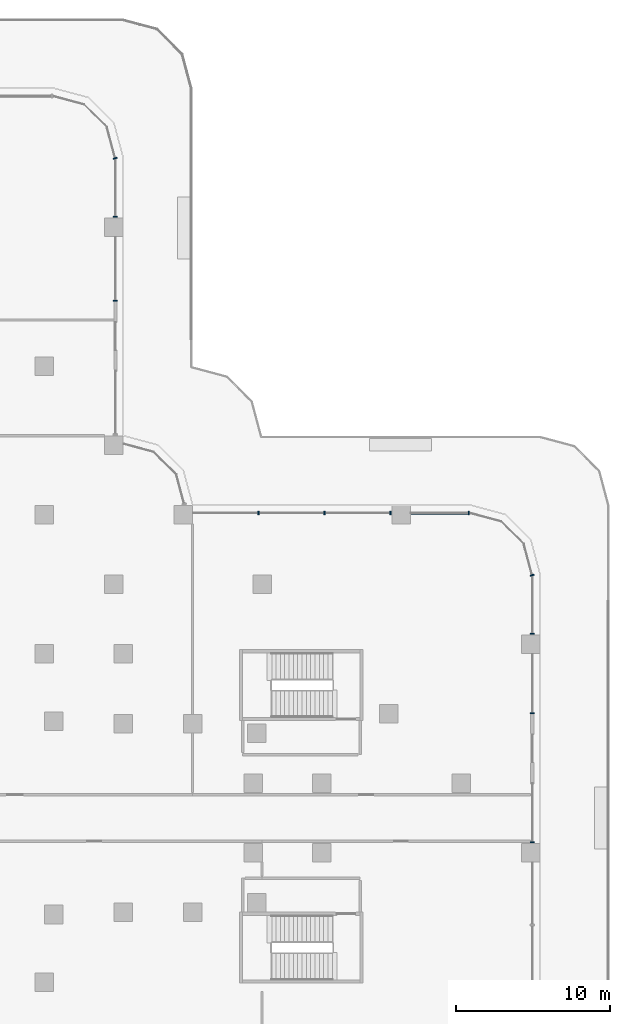
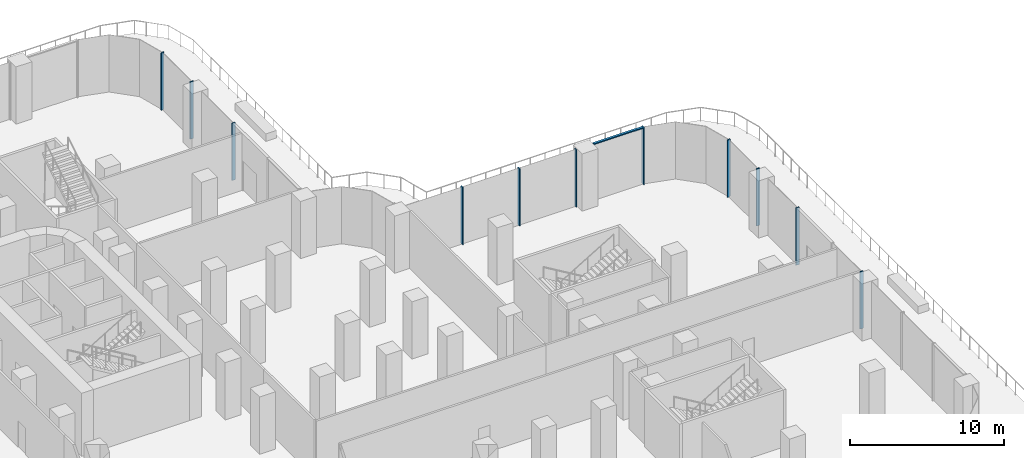
# One storey, part 8 of 29: 12 members, 5 elements without a shape of their own.
"""IFC4 building model written with IfcOpenShell, lengths in metres."""

from ifc_helpers import new_model, si_unit, direction, frame, origin, place, context, subcontext, project, spatial, polyline, outline, extrude, source, transform, mapped, material, type_object, element, aggregate, save


model = new_model("IFC4")

# Units and contexts
model_context = context("Model", 3, precision=1e-05, world=origin(), true_north=direction((0.0, 1.0)))
body_context = subcontext(model_context, "Body", "Model", "MODEL_VIEW")
ifc_project = project(units=[si_unit("LENGTHUNIT", "METRE"), si_unit("AREAUNIT", "SQUARE_METRE"), si_unit("VOLUMEUNIT", "CUBIC_METRE"), si_unit("PLANEANGLEUNIT", "RADIAN"), si_unit("MASSUNIT", "GRAM", prefix="KILO")], contexts=[model_context])

# Site, building, storey
site_placement = place(None, origin())
site = spatial("IfcSite", under=ifc_project, at=site_placement, CompositionType="ELEMENT")
building_placement = place(site_placement, origin())
building = spatial("IfcBuilding", under=site, at=building_placement, Name="Zarbagh Exchange Tower", CompositionType="ELEMENT")
storey_placement = place(building_placement, frame((0.0, 0.0, 12.0)))
storey = spatial("IfcBuildingStorey", under=building, at=storey_placement, Name="L02", CompositionType="ELEMENT", Elevation=12.0)

# Curtain wall, member
ifc_material_1 = material(Name="Anodised aluminium frame and glazing", Category="aluminium")
curtain_wall_type = type_object("IfcCurtainWallType", Name="CWC Podium garden-wall glazing", PredefinedType="NOTDEFINED", material=ifc_material_1)
curtain_wall_1_placement = place(storey_placement, origin())
curtain_wall_1 = element("IfcCurtainWall", 1, at=curtain_wall_1_placement, inside=storey, type_object=curtain_wall_type, Name="CWC114 curtain wall", PredefinedType="NOTDEFINED")
ifc_material_2 = material(Name="Anodised aluminium frame", Category="aluminium")
member_type_1 = type_object("IfcMemberType", Name="TRC Transom, anodised aluminium frame", PredefinedType="USERDEFINED", material=ifc_material_2)
shared_shape_1 = source(origin(), body_context, "Body", "SweptSolid", [
    extrude(outline(polyline([(-0.080078125, -0.090087890625), (0.0, -0.090087890625), (0.0, 0.090087890625), (-0.080078125, 0.090087890625), (-0.080078125, -0.090087890625)])), origin(), (0.0, 0.0, 1.0), 3.714111328125),
])
placement = place(storey_placement, origin())
member_1 = element("IfcMember", 2, at=placement, type_object=member_type_1, Name="CWC114 transom 1.1", ObjectType="TRANSOM", PredefinedType="USERDEFINED", context=body_context, shape_type="MappedRepresentation", body=[
    mapped(shared_shape_1, transform((42.604248046875, 19.75, 4.550048828125), x_axis=(0.0, 0.0, 1.0), y_axis=(0.0, 1.0, 0.0), z_axis=(-1.0, 0.0, 0.0))),
])

# Curtain wall, members
curtain_wall_2_placement = place(storey_placement, origin())
curtain_wall_2 = element("IfcCurtainWall", 3, at=curtain_wall_2_placement, inside=storey, type_object=curtain_wall_type, Name="CWC110 curtain wall", PredefinedType="NOTDEFINED")
member_type_2 = type_object("IfcMemberType", Name="MUC Mullion, anodised aluminium frame", PredefinedType="MULLION", material=ifc_material_2)
shared_shape_2 = source(origin(), body_context, "Body", "SweptSolid", [
    extrude(outline(polyline([(0.0, -0.125), (0.080078125, -0.125), (0.080078125, 0.125), (0.0, 0.125), (0.0, -0.125)])), origin(), (0.0, 0.0, 1.0), 4.550048828125),
])
member_2 = element("IfcMember", 4, at=placement, type_object=member_type_2, Name="CWC110 mullion 2.1", PredefinedType="MULLION", context=body_context, shape_type="MappedRepresentation", body=[
    mapped(shared_shape_2, transform((46.75, -1.60986328125, 0.0), x_axis=(0.0, 1.0, 0.0), y_axis=(-1.0, 0.0, 0.0), z_axis=(0.0, 0.0, 1.0))),
])
member_3 = element("IfcMember", 5, at=placement, type_object=member_type_2, Name="CWC110 mullion 3.1", PredefinedType="MULLION", context=body_context, shape_type="MappedRepresentation", body=[
    mapped(shared_shape_2, transform((46.75, 6.75, 0.0), x_axis=(0.0, 1.0, 0.0), y_axis=(-1.0, 0.0, 0.0), z_axis=(0.0, 0.0, 1.0))),
])
member_4 = element("IfcMember", 6, at=placement, type_object=member_type_2, Name="CWC110 mullion 4.1", PredefinedType="MULLION", context=body_context, shape_type="MappedRepresentation", body=[
    mapped(shared_shape_2, transform((46.75, 11.89013671875, 0.0), x_axis=(0.0, 1.0, 0.0), y_axis=(-1.0, 0.0, 0.0), z_axis=(0.0, 0.0, 1.0))),
])
aggregate(curtain_wall_2, [member_2, member_3, member_4])

# Curtain wall, member
curtain_wall_3_placement = place(storey_placement, origin())
curtain_wall_3 = element("IfcCurtainWall", 7, at=curtain_wall_3_placement, inside=storey, type_object=curtain_wall_type, Name="CWC111 curtain wall", PredefinedType="NOTDEFINED")
member_5 = element("IfcMember", 8, at=placement, type_object=member_type_2, Name="CWC111 mullion 1.1", PredefinedType="MULLION", context=body_context, shape_type="MappedRepresentation", body=[
    mapped(shared_shape_2, transform((46.75, 15.68408203125, 0.0), x_axis=(-0.258824779902, 0.965924289636, 0.0), y_axis=(-0.965924289636, -0.258824779902, 0.0), z_axis=(0.0, 0.0, 1.0))),
])
aggregate(curtain_wall_3, [member_5])

# Member
member_6 = element("IfcMember", 9, at=placement, type_object=member_type_2, Name="CWC114 mullion 1.1", PredefinedType="MULLION", context=body_context, shape_type="MappedRepresentation", body=[
    mapped(shared_shape_2, transform((42.68408203125, 19.75, 0.0), x_axis=(-1.0, 0.0, 0.0), y_axis=(0.0, -1.0, 0.0), z_axis=(0.0, 0.0, 1.0))),
])

member_7 = element("IfcMember", 10, at=placement, type_object=member_type_2, Name="CWC114 mullion 2.1", PredefinedType="MULLION", context=body_context, shape_type="MappedRepresentation", body=[
    mapped(shared_shape_2, transform((37.60986328125, 19.75, 0.0), x_axis=(-1.0, 0.0, 0.0), y_axis=(0.0, -1.0, 0.0), z_axis=(0.0, 0.0, 1.0))),
])

member_8 = element("IfcMember", 11, at=placement, type_object=member_type_2, Name="CWC114 mullion 2.2", PredefinedType="MULLION", context=body_context, shape_type="MappedRepresentation", body=[
    mapped(shared_shape_2, transform((33.336669921875, 19.75, 0.0), x_axis=(-1.0, 0.0, 0.0), y_axis=(0.0, -1.0, 0.0), z_axis=(0.0, 0.0, 1.0))),
])

member_9 = element("IfcMember", 12, at=placement, type_object=member_type_2, Name="CWC114 mullion 2.3", PredefinedType="MULLION", context=body_context, shape_type="MappedRepresentation", body=[
    mapped(shared_shape_2, transform((29.063232421875, 19.75, 0.0), x_axis=(-1.0, 0.0, 0.0), y_axis=(0.0, -1.0, 0.0), z_axis=(0.0, 0.0, 1.0))),
])

aggregate(curtain_wall_1, [member_6, member_1, member_7, member_8, member_9])

# Curtain wall, members
curtain_wall_4_placement = place(storey_placement, origin())
curtain_wall_4 = element("IfcCurtainWall", 13, at=curtain_wall_4_placement, inside=storey, type_object=curtain_wall_type, Name="CWC118 curtain wall", PredefinedType="NOTDEFINED")
member_10 = element("IfcMember", 14, at=placement, type_object=member_type_2, Name="CWC118 mullion 2.1", PredefinedType="MULLION", context=body_context, shape_type="MappedRepresentation", body=[
    mapped(shared_shape_2, transform((19.75, 33.449951171875, 0.0), x_axis=(0.0, 1.0, 0.0), y_axis=(-1.0, 0.0, 0.0), z_axis=(0.0, 0.0, 1.0))),
])
member_11 = element("IfcMember", 15, at=placement, type_object=member_type_2, Name="CWC118 mullion 3.1", PredefinedType="MULLION", context=body_context, shape_type="MappedRepresentation", body=[
    mapped(shared_shape_2, transform((19.75, 38.89013671875, 0.0), x_axis=(0.0, 1.0, 0.0), y_axis=(-1.0, 0.0, 0.0), z_axis=(0.0, 0.0, 1.0))),
])
aggregate(curtain_wall_4, [member_10, member_11])

# Curtain wall, member
curtain_wall_5_placement = place(storey_placement, origin())
curtain_wall_5 = element("IfcCurtainWall", 16, at=curtain_wall_5_placement, inside=storey, type_object=curtain_wall_type, Name="CWC119 curtain wall", PredefinedType="NOTDEFINED")
member_12 = element("IfcMember", 17, at=placement, type_object=member_type_2, Name="CWC119 mullion 1.1", PredefinedType="MULLION", context=body_context, shape_type="MappedRepresentation", body=[
    mapped(shared_shape_2, transform((19.75, 42.68408203125, 0.0), x_axis=(-0.258824779902, 0.965924289636, 0.0), y_axis=(-0.965924289636, -0.258824779902, 0.0), z_axis=(0.0, 0.0, 1.0))),
])
aggregate(curtain_wall_5, [member_12])

save(model, "model.ifc")
